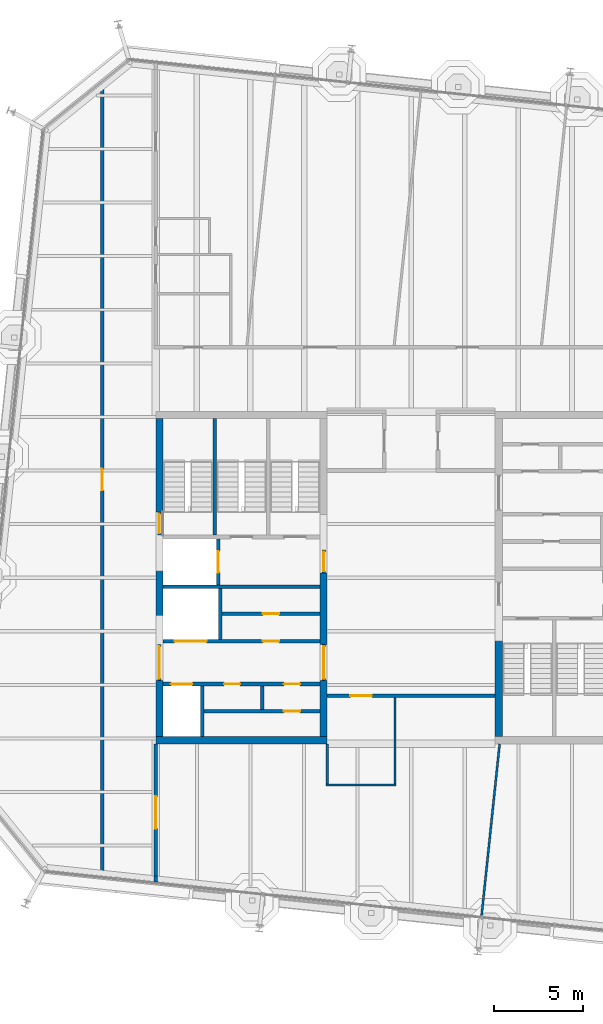
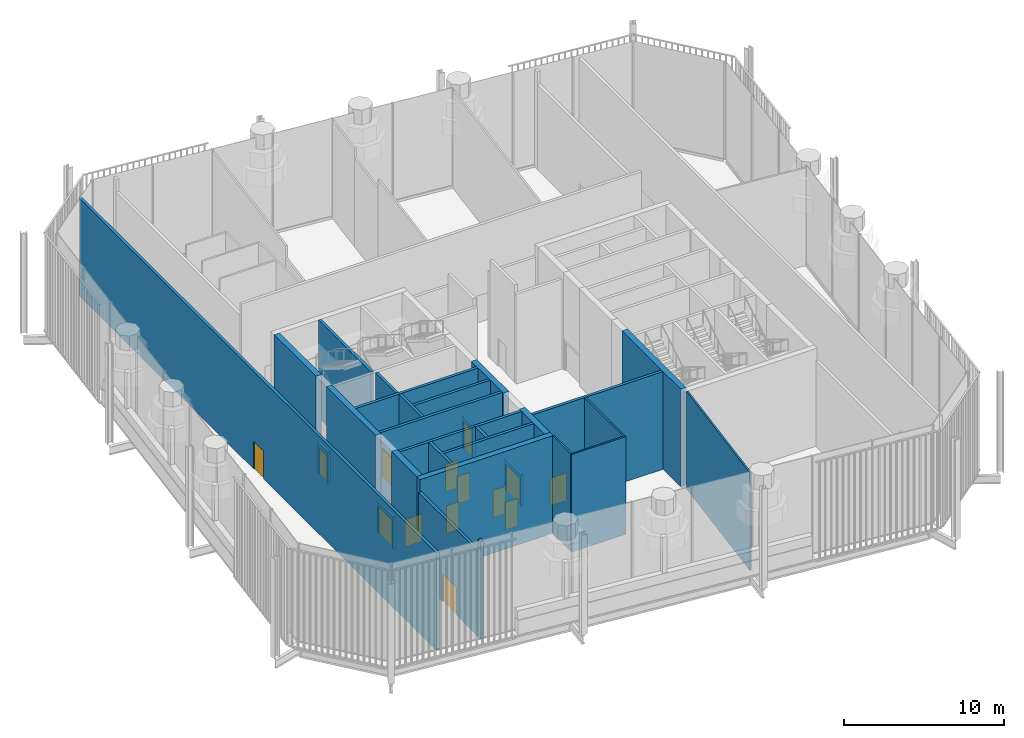
# One storey, part 10 of 17: 29 walls, 15 doors, 15 openings.
"""IFC4 building model written with IfcOpenShell, lengths in metres."""

import ifcopenshell
import ifcopenshell.guid

model = None  # the IFC model being written
_history = None  # IfcOwnerHistory: only IFC2X3 demands one
_inside = {}  # id of a spatial element -> (the spatial element, [elements in it])
_under = {}  # id of a project, library or spatial element -> (it, [spatial elements below it])
_declared = {}  # id of a project -> (the project, [libraries it declares])
_typed = {}  # id of a type object -> (the type object, [elements of that type])
_made_of = {}  # id of a material, layer set ... -> (it, [elements and type objects made of it])


def new_model(schema):
    """Start an empty IFC model of exactly this schema.

    Asked for "IFC4X3", IfcOpenShell would pick the latest addendum, in which some entities
    have other attributes; the version numbers below select the first issue.
    IFC2X3 requires an IfcOwnerHistory on every rooted entity: one is made here for all.
    """
    global model, _history
    if schema == "IFC4X3":
        model = ifcopenshell.file(schema_version=(4, 3, 0, 0))
    else:
        model = ifcopenshell.file(schema=schema)
    _inside.clear()
    _under.clear()
    _declared.clear()
    _typed.clear()
    _made_of.clear()
    _history = None
    if model.schema == "IFC2X3":
        org = make("IfcOrganization", Name="unknown")
        user = make(
            "IfcPersonAndOrganization",
            ThePerson=make("IfcPerson", FamilyName="unknown"),
            TheOrganization=org,
        )
        app = make(
            "IfcApplication",
            ApplicationDeveloper=org,
            Version="unknown",
            ApplicationFullName="unknown",
            ApplicationIdentifier="unknown",
        )
        _history = make(
            "IfcOwnerHistory",
            OwningUser=user,
            OwningApplication=app,
            ChangeAction="ADDED",
            CreationDate=0,
        )
    return model


def make(cls, **values):
    """One entity of the class cls with the attributes given. An attribute that is None is left unset."""
    return model.create_entity(
        cls, **{name: value for name, value in values.items() if value is not None}
    )


def rooted(cls, **values):
    """An entity with a GlobalId (a new one), such as an element, a storey or a relation."""
    return make(cls, GlobalId=ifcopenshell.guid.new(), OwnerHistory=_history, **values)


def si_unit(unit_type, name, prefix=None):
    """IfcSIUnit, for example si_unit("LENGTHUNIT", "METRE", prefix="MILLI")."""
    return make("IfcSIUnit", UnitType=unit_type, Prefix=prefix, Name=name)


def assignment(units):
    """IfcUnitAssignment: the units of a project."""
    return None if units is None else make("IfcUnitAssignment", Units=units)


def point(xyz):
    """IfcCartesianPoint."""
    return None if xyz is None else make("IfcCartesianPoint", Coordinates=xyz)


def direction(xyz):
    """IfcDirection."""
    return None if xyz is None else make("IfcDirection", DirectionRatios=xyz)


def frame(location, z_axis=None, x_axis=None):
    """IfcAxis2Placement3D, a coordinate frame: its origin and axes. An axis left out is left unset."""
    return make(
        "IfcAxis2Placement3D",
        Location=point(location),
        Axis=direction(z_axis),
        RefDirection=direction(x_axis),
    )


def frame_2d(location, x_axis=None):
    """IfcAxis2Placement2D, a coordinate frame in the plane: its origin and x axis."""
    return make(
        "IfcAxis2Placement2D", Location=point(location), RefDirection=direction(x_axis)
    )


def origin():
    """The frame at (0, 0, 0) with its axes left unset."""
    return frame((0.0, 0.0, 0.0))


def place(relative_to, where):
    """IfcLocalPlacement: puts the frame where relative to a parent placement (None: the world)."""
    return make(
        "IfcLocalPlacement", PlacementRelTo=relative_to, RelativePlacement=where
    )


def context(
    kind, dimensions, precision=None, world=None, true_north=None, identifier=None
):
    """IfcGeometricRepresentationContext, for example the 3D "Model" context."""
    return make(
        "IfcGeometricRepresentationContext",
        ContextIdentifier=identifier,
        ContextType=kind,
        CoordinateSpaceDimension=dimensions,
        Precision=precision,
        WorldCoordinateSystem=world,
        TrueNorth=true_north,
    )


def subcontext(parent, identifier, kind, view, scale=None):
    """IfcGeometricRepresentationSubContext, for example "Body" below "Model"."""
    return make(
        "IfcGeometricRepresentationSubContext",
        ContextIdentifier=identifier,
        ContextType=kind,
        ParentContext=parent,
        TargetScale=scale,
        TargetView=view,
    )


def project(units=None, contexts=None):
    """IfcProject with its units and contexts."""
    return rooted(
        "IfcProject",
        Name="project",
        RepresentationContexts=contexts,
        UnitsInContext=assignment(units),
    )


def spatial(cls, under=None, at=None, **own):
    """A site, building, storey or space (cls), placed at a placement, below another one or the project."""
    s = rooted(cls, ObjectPlacement=at, **own)
    if under is not None:
        _under.setdefault(under.id(), (under, []))[1].append(s)
    return s


def profile(cls, at=None, kind="AREA", **sizes):
    """A parametric profile (cls). Its sizes go by their IFC names, for example OverallWidth=200.0."""
    return make(cls, ProfileType=kind, Position=at, **sizes)


def rectangle(**sizes):
    """IfcRectangleProfileDef."""
    return profile("IfcRectangleProfileDef", **sizes)


def extrude(swept, where, along, depth):
    """IfcExtrudedAreaSolid: the profile swept, set in the frame where, extruded along a direction by depth."""
    return make(
        "IfcExtrudedAreaSolid",
        SweptArea=swept,
        Position=where,
        ExtrudedDirection=direction(along),
        Depth=depth,
    )


def shape(context_of_items, identifier, shape_type, items):
    """IfcShapeRepresentation: the items that make up one representation, for example the "Body"."""
    return make(
        "IfcShapeRepresentation",
        ContextOfItems=context_of_items,
        RepresentationIdentifier=identifier,
        RepresentationType=shape_type,
        Items=items,
    )


def material(Name=None, Category=None):
    """IfcMaterial."""
    return make("IfcMaterial", Name=Name, Category=Category)


def layer(
    of_material, thickness, ventilated=None, Name=None, Category=None, Priority=None
):
    """IfcMaterialLayer: one layer of a wall or slab, of a material (None: an air gap)."""
    return make(
        "IfcMaterialLayer",
        Material=of_material,
        LayerThickness=thickness,
        IsVentilated=ventilated,
        Name=Name,
        Category=Category,
        Priority=Priority,
    )


def layer_set(layers, Name=None):
    """IfcMaterialLayerSet."""
    return make("IfcMaterialLayerSet", MaterialLayers=layers, LayerSetName=Name)


def made_of(thing, what):
    """Note that an element or type object is made of a material, layer set ...; save() writes the relation."""
    if what is not None:
        _made_of.setdefault(what.id(), (what, []))[1].append(thing)
    return thing


def type_object(cls, material=None, **own):
    """A type object (cls), such as IfcWallType, which elements share."""
    return made_of(rooted(cls, **own), material)


def element(
    cls,
    number,
    at=None,
    inside=None,
    cuts=None,
    type_object=None,
    material=None,
    context=None,
    identifier="Body",
    shape_type=None,
    held_by="IfcProductDefinitionShape",
    body=None,
    shapes=None,
    **own,
):
    """One element of the class cls, such as IfcWall. Its Tag is "e" and its number.

    at: its placement. inside: the storey or other place that contains it. cuts: it is an
    opening in that element (IfcRelVoidsElement). A single representation is given by context,
    identifier, shape_type and body (its items); several are given by shapes. held_by: the class
    of the entity that holds the representations. save() writes the other relations.
    """
    e = rooted(cls, Tag="e%d" % number, ObjectPlacement=at, **own)
    if body is not None:
        shapes = [shape(context, identifier, shape_type, body)]
    if shapes is not None:
        e.Representation = make(held_by, Representations=shapes)
    if inside is not None:
        _inside.setdefault(inside.id(), (inside, []))[1].append(e)
    if cuts is not None:
        rooted(
            "IfcRelVoidsElement", RelatingBuildingElement=cuts, RelatedOpeningElement=e
        )
    if type_object is not None:
        _typed.setdefault(type_object.id(), (type_object, []))[1].append(e)
    return made_of(e, material)


def fill(opening, filler):
    """IfcRelFillsElement: the door or window that sits in an opening."""
    return rooted(
        "IfcRelFillsElement",
        RelatingOpeningElement=opening,
        RelatedBuildingElement=filler,
    )


def aggregate(whole, parts):
    """IfcRelAggregates: a whole, such as a stair, and the parts it consists of."""
    return rooted("IfcRelAggregates", RelatingObject=whole, RelatedObjects=parts)


def save(model, path):
    """Write the relations noted so far, then the file.

    IfcRelAggregates (storeys below a building ...), IfcRelContainedInSpatialStructure (elements
    in a storey), IfcRelDefinesByType, IfcRelAssociatesMaterial and IfcRelDeclares: one each for
    every whole, place, type object, material and project.
    """
    for whole, parts in _under.values():
        aggregate(whole, parts)
    for where, things in _inside.values():
        rooted(
            "IfcRelContainedInSpatialStructure",
            RelatedElements=things,
            RelatingStructure=where,
        )
    for kind, things in _typed.values():
        rooted("IfcRelDefinesByType", RelatedObjects=things, RelatingType=kind)
    for what, things in _made_of.values():
        rooted("IfcRelAssociatesMaterial", RelatedObjects=things, RelatingMaterial=what)
    for by, libraries in _declared.values():
        rooted("IfcRelDeclares", RelatingContext=by, RelatedDefinitions=libraries)
    model.write(path)


model = new_model("IFC4")

# Units and contexts
model_context = context("Model", 3, precision=1e-05, world=origin(), true_north=direction((0.0, 1.0)))
body_context = subcontext(model_context, "Body", "Model", "MODEL_VIEW")
ifc_project = project(units=[si_unit("LENGTHUNIT", "METRE"), si_unit("AREAUNIT", "SQUARE_METRE"), si_unit("VOLUMEUNIT", "CUBIC_METRE"), si_unit("PLANEANGLEUNIT", "RADIAN"), si_unit("MASSUNIT", "GRAM", prefix="KILO")], contexts=[model_context])

# Site, building, storey
site_placement = place(None, origin())
site = spatial("IfcSite", under=ifc_project, at=site_placement, CompositionType="ELEMENT")
building_placement = place(site_placement, origin())
building = spatial("IfcBuilding", under=site, at=building_placement, Name="Millrace Tower", CompositionType="ELEMENT")
storey_placement = place(building_placement, frame((0.0, 0.0, 311.10009765625)))
storey = spatial("IfcBuildingStorey", under=building, at=storey_placement, Name="L72", CompositionType="ELEMENT", Elevation=311.10009765625)

# Walls
ifc_material_1 = material(Name="Concrete C60", Category="concrete")
ifc_layer_1 = layer(ifc_material_1, 0.39990234375)
ifc_layer_set_1 = layer_set([ifc_layer_1], Name="Concrete C60")
wall_type_1 = type_object("IfcWallType", Name="Core wall 400 Concrete C60", PredefinedType="SHEAR", material=ifc_layer_set_1)
wall_1_placement = place(storey_placement, frame((-14.300048828125, -9.10009765625, 0.0), z_axis=(0.0, 0.0, 1.0), x_axis=(1.0, 0.0, 0.0)))
element("IfcWall", 1, at=wall_1_placement, inside=storey, type_object=wall_type_1, Name="Core wall W L72", PredefinedType="SHEAR", context=body_context, shape_type="SweptSolid", body=[
    extrude(rectangle(XDim=9.60009765625, YDim=0.39990234375, at=frame_2d((4.800048828125, 0.0))), origin(), (0.0, 0.0, 1.0), 7.43994140625),
])
wall_2_placement = place(storey_placement, frame((-14.10009765625, -8.89990234375, 0.0), z_axis=(0.0, 0.0, 1.0), x_axis=(0.0, 1.0, 0.0)))
element("IfcWall", 2, at=wall_2_placement, inside=storey, type_object=wall_type_1, Name="Core wall W L72", PredefinedType="SHEAR", context=body_context, shape_type="SweptSolid", body=[
    extrude(rectangle(XDim=3.14990234375, YDim=0.39990234375, at=frame_2d((1.574951171875, 0.0))), origin(), (0.0, 0.0, 1.0), 7.43994140625),
])
wall_3_placement = place(storey_placement, frame((-14.10009765625, -3.75, 0.0), z_axis=(0.0, 0.0, 1.0), x_axis=(0.0, 1.0, 0.0)))
element("IfcWall", 3, at=wall_3_placement, inside=storey, type_object=wall_type_1, Name="Core wall W L72", PredefinedType="SHEAR", context=body_context, shape_type="SweptSolid", body=[
    extrude(rectangle(XDim=6.1298828125, YDim=0.39990234375, at=frame_2d((3.06494140625, 0.0))), origin(), (0.0, 0.0, 1.0), 7.43994140625),
])
wall_4_placement = place(storey_placement, frame((-14.10009765625, 3.679931640625, 0.0), z_axis=(0.0, 0.0, 1.0), x_axis=(0.0, 1.0, 0.0)))
element("IfcWall", 4, at=wall_4_placement, inside=storey, type_object=wall_type_1, Name="Core wall W L72", PredefinedType="SHEAR", context=body_context, shape_type="SweptSolid", body=[
    extrude(rectangle(XDim=5.219970703125, YDim=0.39990234375, at=frame_2d((2.60986328125, 0.0))), origin(), (0.0, 0.0, 1.0), 7.43994140625),
])
wall_5_placement = place(storey_placement, frame((-4.89990234375, -8.89990234375, 0.0), z_axis=(0.0, 0.0, 1.0), x_axis=(0.0, 1.0, 0.0)))
element("IfcWall", 5, at=wall_5_placement, inside=storey, type_object=wall_type_1, Name="Core wall W L72", PredefinedType="SHEAR", context=body_context, shape_type="SweptSolid", body=[
    extrude(rectangle(XDim=3.14990234375, YDim=0.39990234375, at=frame_2d((1.574951171875, 0.0))), origin(), (0.0, 0.0, 1.0), 7.43994140625),
])
wall_6_placement = place(storey_placement, frame((-4.89990234375, -3.75, 0.0), z_axis=(0.0, 0.0, 1.0), x_axis=(0.0, 1.0, 0.0)))
element("IfcWall", 6, at=wall_6_placement, inside=storey, type_object=wall_type_1, Name="Core wall W L72", PredefinedType="SHEAR", context=body_context, shape_type="SweptSolid", body=[
    extrude(rectangle(XDim=4.0, YDim=0.39990234375, at=frame_2d((2.0, 0.0))), origin(), (0.0, 0.0, 1.0), 7.43994140625),
])
wall_7_placement = place(storey_placement, frame((4.89990234375, -1.550048828125, 0.0), z_axis=(0.0, 0.0, 1.0), x_axis=(0.0, -1.0, 0.0)))
element("IfcWall", 7, at=wall_7_placement, inside=storey, type_object=wall_type_1, Name="Core wall E L72", PredefinedType="SHEAR", context=body_context, shape_type="SweptSolid", body=[
    extrude(rectangle(XDim=7.349853515625, YDim=0.39990234375, at=frame_2d((3.6748046875, 0.0))), origin(), (0.0, 0.0, 1.0), 7.43994140625),
])

# Wall, opening, door
ifc_material_2 = material(Name="Masonry partition, fire-rated", Category="masonry")
ifc_layer_2 = layer(ifc_material_2, 0.199951171875)
ifc_layer_set_2 = layer_set([ifc_layer_2], Name="Masonry partition, fire-rated")
wall_type_2 = type_object("IfcWallType", Name="Corridor wall 200", PredefinedType="PARTITIONING", material=ifc_layer_set_2)
wall_8_placement = place(storey_placement, frame((-4.699951171875, -6.60009765625, 0.0), z_axis=(0.0, 0.0, 1.0), x_axis=(1.0, 0.0, 0.0)))
wall_8 = element("IfcWall", 8, at=wall_8_placement, inside=storey, type_object=wall_type_2, Name="Corridor wall L72", PredefinedType="PARTITIONING", context=body_context, shape_type="SweptSolid", body=[
    extrude(rectangle(XDim=9.39990234375, YDim=0.199951171875, at=frame_2d((4.699951171875, 0.0))), origin(), (0.0, 0.0, 1.0), 7.43994140625),
])
opening_1_placement = place(wall_8_placement, frame((1.300048828125, 0.0, 0.0)))
opening_1 = element("IfcOpeningElement", 9, at=opening_1_placement, cuts=wall_8, Name="Opening 72-P014", PredefinedType="OPENING", context=body_context, shape_type="SweptSolid", body=[
    extrude(rectangle(XDim=1.199951171875, YDim=2.10009765625, at=frame_2d((0.60009765625, 1.050048828125))), frame((0.0, 0.10986328125, 0.0), z_axis=(0.0, -1.0, 0.0), x_axis=(1.0, 0.0, 0.0)), (0.0, 0.0, 1.0), 0.219970703125),
])
ifc_material_3 = material(Name="Steel door set, fire-rated", Category="steel")
door_type_1 = type_object("IfcDoorType", Name="Corridor door 1200 x 2100", OperationType="SINGLE_SWING_LEFT", PredefinedType="DOOR", material=ifc_material_3)
door_1_placement = place(opening_1_placement, frame((1.199951171875, 0.0, 0.0), z_axis=(0.0, 0.0, 1.0), x_axis=(-1.0, 0.0, 0.0)))
door_1 = element("IfcDoor", 10, at=door_1_placement, inside=storey, type_object=door_type_1, Name="Door 72-P014", OperationType="SINGLE_SWING_RIGHT", OverallHeight=2.10009765625, OverallWidth=1.199951171875, PredefinedType="DOOR", context=body_context, shape_type="SweptSolid", body=[
    extrude(rectangle(XDim=1.199951171875, YDim=2.10009765625, at=frame_2d((0.60009765625, 1.050048828125))), frame((0.0, 0.02490234375, 0.0), z_axis=(0.0, -1.0, 0.0), x_axis=(1.0, 0.0, 0.0)), (0.0, 0.0, 1.0), 0.050048828125),
])
fill(opening_1, door_1)

# Wall
wall_9_placement = place(storey_placement, frame((-14.300048828125, -17.031494140625, 0.0), z_axis=(0.0, 0.0, 1.0), x_axis=(0.0, 1.0, 0.0)))
element("IfcWall", 11, at=wall_9_placement, inside=storey, type_object=wall_type_2, Name="Corridor wall L72", PredefinedType="PARTITIONING", context=body_context, shape_type="SweptSolid", body=[
    extrude(rectangle(XDim=0.339111328125, YDim=0.199951171875, at=frame_2d((0.16943359375, 0.0))), origin(), (0.0, 0.0, 1.0), 7.43994140625),
])

# Wall, opening, door
wall_10_placement = place(storey_placement, frame((-14.300048828125, -16.6923828125, 0.0), z_axis=(0.0, 0.0, 1.0), x_axis=(0.0, 1.0, 0.0)))
wall_10 = element("IfcWall", 12, at=wall_10_placement, inside=storey, type_object=wall_type_2, Name="Corridor wall L72", PredefinedType="PARTITIONING", context=body_context, shape_type="SweptSolid", body=[
    extrude(rectangle(XDim=7.392333984375, YDim=0.199951171875, at=frame_2d((3.6962890625, 0.0))), origin(), (0.0, 0.0, 1.0), 6.5126953125),
])
opening_2_placement = place(wall_10_placement, frame((2.65185546875, 0.0, 0.0)))
opening_2 = element("IfcOpeningElement", 13, at=opening_2_placement, cuts=wall_10, Name="Opening 72-P013", PredefinedType="OPENING", context=body_context, shape_type="SweptSolid", body=[
    extrude(rectangle(XDim=1.800048828125, YDim=2.10009765625, at=frame_2d((0.89990234375, 1.050048828125))), frame((0.0, 0.10986328125, 0.0), z_axis=(0.0, -1.0, 0.0), x_axis=(1.0, 0.0, 0.0)), (0.0, 0.0, 1.0), 0.219970703125),
])
ifc_material_4 = material(Name="Steel door set, fire-rated", Category="steel")
door_type_2 = type_object("IfcDoorType", Name="Corridor door 1800 x 2100", OperationType="DOUBLE_DOOR_SINGLE_SWING", PredefinedType="DOOR", material=ifc_material_4)
door_2_placement = place(opening_2_placement, origin())
door_2 = element("IfcDoor", 14, at=door_2_placement, inside=storey, type_object=door_type_2, Name="Door 72-P013", OperationType="DOUBLE_DOOR_SINGLE_SWING", OverallHeight=2.10009765625, OverallWidth=1.800048828125, PredefinedType="DOOR", context=body_context, shape_type="SweptSolid", body=[
    extrude(rectangle(XDim=1.800048828125, YDim=2.10009765625, at=frame_2d((0.89990234375, 1.050048828125))), frame((0.0, 0.02490234375, 0.0), z_axis=(0.0, -1.0, 0.0), x_axis=(1.0, 0.0, 0.0)), (0.0, 0.0, 1.0), 0.050048828125),
])
fill(opening_2, door_2)

wall_11_placement = place(storey_placement, frame((-17.300048828125, -16.716064453125, 0.0), z_axis=(0.0, 0.0, 1.0), x_axis=(0.0, 1.0, 0.0)))
wall_11 = element("IfcWall", 15, at=wall_11_placement, inside=storey, type_object=wall_type_2, Name="Corridor wall L72", PredefinedType="PARTITIONING", context=body_context, shape_type="SweptSolid", body=[
    extrude(rectangle(XDim=44.620361328125, YDim=0.199951171875, at=frame_2d((22.31005859375, 0.0))), origin(), (0.0, 0.0, 1.0), 7.43994140625),
])
opening_3_placement = place(wall_11_placement, frame((21.603271484375, 0.0, 0.0)))
opening_3 = element("IfcOpeningElement", 16, at=opening_3_placement, cuts=wall_11, Name="Opening 72-P003", PredefinedType="OPENING", context=body_context, shape_type="SweptSolid", body=[
    extrude(rectangle(XDim=1.199951171875, YDim=2.10009765625, at=frame_2d((0.60009765625, 1.050048828125))), frame((0.0, 0.10986328125, 0.0), z_axis=(0.0, -1.0, 0.0), x_axis=(1.0, 0.0, 0.0)), (0.0, 0.0, 1.0), 0.219970703125),
])
door_3_placement = place(opening_3_placement, frame((1.199951171875, 0.0, 0.0), z_axis=(0.0, 0.0, 1.0), x_axis=(-1.0, 0.0, 0.0)))
door_3 = element("IfcDoor", 17, at=door_3_placement, inside=storey, type_object=door_type_1, Name="Door 72-P003", OperationType="SINGLE_SWING_LEFT", OverallHeight=2.10009765625, OverallWidth=1.199951171875, PredefinedType="DOOR", context=body_context, shape_type="SweptSolid", body=[
    extrude(rectangle(XDim=1.199951171875, YDim=2.10009765625, at=frame_2d((0.60009765625, 1.050048828125))), frame((0.0, 0.02490234375, 0.0), z_axis=(0.0, -1.0, 0.0), x_axis=(1.0, 0.0, 0.0)), (0.0, 0.0, 1.0), 0.050048828125),
])
fill(opening_3, door_3)

# Wall, openings, doors
ifc_material_5 = material(Name="Masonry partition, fire-rated", Category="masonry")
ifc_layer_3 = layer(ifc_material_5, 0.199951171875)
ifc_layer_set_3 = layer_set([ifc_layer_3], Name="Masonry partition, fire-rated")
wall_type_3 = type_object("IfcWallType", Name="Lift shaft wall 200", PredefinedType="PARTITIONING", material=ifc_layer_set_3)
wall_12_placement = place(storey_placement, frame((-13.89990234375, -5.949951171875, 0.0), z_axis=(0.0, 0.0, 1.0), x_axis=(1.0, 0.0, 0.0)))
wall_12 = element("IfcWall", 18, at=wall_12_placement, inside=storey, type_object=wall_type_3, Name="Lift shaft wall W L72", PredefinedType="PARTITIONING", context=body_context, shape_type="SweptSolid", body=[
    extrude(rectangle(XDim=8.7998046875, YDim=0.199951171875, at=frame_2d((4.39990234375, 0.0))), origin(), (0.0, 0.0, 1.0), 7.43994140625),
])
opening_4_placement = place(wall_12_placement, frame((0.449951171875, 0.0, 0.0)))
opening_4 = element("IfcOpeningElement", 19, at=opening_4_placement, cuts=wall_12, Name="Opening 72-LD01", PredefinedType="OPENING", context=body_context, shape_type="SweptSolid", body=[
    extrude(rectangle(XDim=1.199951171875, YDim=2.10009765625, at=frame_2d((0.60009765625, 1.050048828125))), frame((0.0, 0.10986328125, 0.0), z_axis=(0.0, -1.0, 0.0), x_axis=(1.0, 0.0, 0.0)), (0.0, 0.0, 1.0), 0.219970703125),
])
opening_5_placement = place(wall_12_placement, frame((3.425048828125, 0.0, 0.0)))
opening_5 = element("IfcOpeningElement", 20, at=opening_5_placement, cuts=wall_12, Name="Opening 72-C005", PredefinedType="OPENING", context=body_context, shape_type="SweptSolid", body=[
    extrude(rectangle(XDim=0.89990234375, YDim=2.10009765625, at=frame_2d((0.449951171875, 1.050048828125))), frame((0.0, 0.10986328125, 0.0), z_axis=(0.0, -1.0, 0.0), x_axis=(1.0, 0.0, 0.0)), (0.0, 0.0, 1.0), 0.219970703125),
])
opening_6_placement = place(wall_12_placement, frame((6.77490234375, 0.0, 0.0)))
opening_6 = element("IfcOpeningElement", 21, at=opening_6_placement, cuts=wall_12, Name="Opening 72-C006", PredefinedType="OPENING", context=body_context, shape_type="SweptSolid", body=[
    extrude(rectangle(XDim=0.89990234375, YDim=2.10009765625, at=frame_2d((0.449951171875, 1.050048828125))), frame((0.0, 0.10986328125, 0.0), z_axis=(0.0, -1.0, 0.0), x_axis=(1.0, 0.0, 0.0)), (0.0, 0.0, 1.0), 0.219970703125),
])
ifc_material_6 = material(Name="Stainless steel, fire-rated", Category="steel")
door_type_3 = type_object("IfcDoorType", Name="Lift landing door 1200 x 2100", OperationType="DOUBLE_DOOR_SLIDING", PredefinedType="DOOR", material=ifc_material_6)
door_4_placement = place(opening_4_placement, origin())
door_4 = element("IfcDoor", 22, at=door_4_placement, inside=storey, type_object=door_type_3, Name="Lift landing door LF1 L72", OperationType="DOUBLE_DOOR_SLIDING", OverallHeight=2.10009765625, OverallWidth=1.199951171875, PredefinedType="DOOR", context=body_context, shape_type="SweptSolid", body=[
    extrude(rectangle(XDim=1.199951171875, YDim=2.10009765625, at=frame_2d((0.60009765625, 1.050048828125))), frame((0.0, 0.02490234375, 0.0), z_axis=(0.0, -1.0, 0.0), x_axis=(1.0, 0.0, 0.0)), (0.0, 0.0, 1.0), 0.050048828125),
])
fill(opening_4, door_4)
ifc_material_7 = material(Name="Steel door, fire-rated", Category="steel")
door_type_4 = type_object("IfcDoorType", Name="Service room door 900 x 2100", OperationType="SINGLE_SWING_LEFT", PredefinedType="DOOR", material=ifc_material_7)
door_5_placement = place(opening_5_placement, origin())
door_5 = element("IfcDoor", 23, at=door_5_placement, inside=storey, type_object=door_type_4, Name="Service room door 72-C005", OperationType="SINGLE_SWING_LEFT", OverallHeight=2.10009765625, OverallWidth=0.89990234375, PredefinedType="DOOR", context=body_context, shape_type="SweptSolid", body=[
    extrude(rectangle(XDim=0.89990234375, YDim=2.10009765625, at=frame_2d((0.449951171875, 1.050048828125))), frame((0.0, 0.02490234375, 0.0), z_axis=(0.0, -1.0, 0.0), x_axis=(1.0, 0.0, 0.0)), (0.0, 0.0, 1.0), 0.050048828125),
])
fill(opening_5, door_5)
door_6_placement = place(opening_6_placement, origin())
door_6 = element("IfcDoor", 24, at=door_6_placement, inside=storey, type_object=door_type_4, Name="Service room door 72-C006", OperationType="SINGLE_SWING_RIGHT", OverallHeight=2.10009765625, OverallWidth=0.89990234375, PredefinedType="DOOR", context=body_context, shape_type="SweptSolid", body=[
    extrude(rectangle(XDim=0.89990234375, YDim=2.10009765625, at=frame_2d((0.449951171875, 1.050048828125))), frame((0.0, 0.02490234375, 0.0), z_axis=(0.0, -1.0, 0.0), x_axis=(1.0, 0.0, 0.0)), (0.0, 0.0, 1.0), 0.050048828125),
])
fill(opening_6, door_6)

wall_13_placement = place(storey_placement, frame((-13.89990234375, -3.550048828125, 0.0), z_axis=(0.0, 0.0, 1.0), x_axis=(1.0, 0.0, 0.0)))
wall_13 = element("IfcWall", 25, at=wall_13_placement, inside=storey, type_object=wall_type_3, Name="Lift shaft wall W L72", PredefinedType="PARTITIONING", context=body_context, shape_type="SweptSolid", body=[
    extrude(rectangle(XDim=8.7998046875, YDim=0.199951171875, at=frame_2d((4.39990234375, 0.0))), origin(), (0.0, 0.0, 1.0), 7.43994140625),
])
opening_7_placement = place(wall_13_placement, frame((0.64990234375, 0.0, 0.0)))
opening_7 = element("IfcOpeningElement", 26, at=opening_7_placement, cuts=wall_13, Name="Opening 72-LD05", PredefinedType="OPENING", context=body_context, shape_type="SweptSolid", body=[
    extrude(rectangle(XDim=1.800048828125, YDim=2.10009765625, at=frame_2d((0.89990234375, 1.050048828125))), frame((0.0, 0.10986328125, 0.0), z_axis=(0.0, -1.0, 0.0), x_axis=(1.0, 0.0, 0.0)), (0.0, 0.0, 1.0), 0.219970703125),
])
opening_8_placement = place(wall_13_placement, frame((5.60009765625, 0.0, 0.0)))
opening_8 = element("IfcOpeningElement", 27, at=opening_8_placement, cuts=wall_13, Name="Opening 72-C008", PredefinedType="OPENING", context=body_context, shape_type="SweptSolid", body=[
    extrude(rectangle(XDim=0.89990234375, YDim=2.10009765625, at=frame_2d((0.449951171875, 1.050048828125))), frame((0.0, 0.10986328125, 0.0), z_axis=(0.0, -1.0, 0.0), x_axis=(1.0, 0.0, 0.0)), (0.0, 0.0, 1.0), 0.219970703125),
])
ifc_material_8 = material(Name="Stainless steel, fire-rated", Category="steel")
door_type_5 = type_object("IfcDoorType", Name="Lift landing door 1800 x 2100", OperationType="DOUBLE_DOOR_SLIDING", PredefinedType="DOOR", material=ifc_material_8)
door_7_placement = place(opening_7_placement, origin())
door_7 = element("IfcDoor", 28, at=door_7_placement, inside=storey, type_object=door_type_5, Name="Lift landing door LF5 L72", OperationType="DOUBLE_DOOR_SLIDING", OverallHeight=2.10009765625, OverallWidth=1.800048828125, PredefinedType="DOOR", context=body_context, shape_type="SweptSolid", body=[
    extrude(rectangle(XDim=1.800048828125, YDim=2.10009765625, at=frame_2d((0.89990234375, 1.050048828125))), frame((0.0, 0.02490234375, 0.0), z_axis=(0.0, -1.0, 0.0), x_axis=(1.0, 0.0, 0.0)), (0.0, 0.0, 1.0), 0.050048828125),
])
fill(opening_7, door_7)
door_8_placement = place(opening_8_placement, frame((0.89990234375, 0.0, 0.0), z_axis=(0.0, 0.0, 1.0), x_axis=(-1.0, 0.0, 0.0)))
door_8 = element("IfcDoor", 29, at=door_8_placement, inside=storey, type_object=door_type_4, Name="Service room door 72-C008", OperationType="SINGLE_SWING_LEFT", OverallHeight=2.10009765625, OverallWidth=0.89990234375, PredefinedType="DOOR", context=body_context, shape_type="SweptSolid", body=[
    extrude(rectangle(XDim=0.89990234375, YDim=2.10009765625, at=frame_2d((0.449951171875, 1.050048828125))), frame((0.0, 0.02490234375, 0.0), z_axis=(0.0, -1.0, 0.0), x_axis=(1.0, 0.0, 0.0)), (0.0, 0.0, 1.0), 0.050048828125),
])
fill(opening_8, door_8)

# Wall
wall_14_placement = place(storey_placement, frame((-13.89990234375, -0.5, 0.0), z_axis=(0.0, 0.0, 1.0), x_axis=(1.0, 0.0, 0.0)))
element("IfcWall", 30, at=wall_14_placement, inside=storey, type_object=wall_type_3, Name="Lift shaft wall W L72", PredefinedType="PARTITIONING", context=body_context, shape_type="SweptSolid", body=[
    extrude(rectangle(XDim=8.7998046875, YDim=0.199951171875, at=frame_2d((4.39990234375, 0.0))), origin(), (0.0, 0.0, 1.0), 7.43994140625),
])

# Wall, opening, door
wall_15_placement = place(storey_placement, frame((-10.800048828125, -0.39990234375, 0.0), z_axis=(0.0, 0.0, 1.0), x_axis=(0.0, 1.0, 0.0)))
wall_15 = element("IfcWall", 31, at=wall_15_placement, inside=storey, type_object=wall_type_3, Name="Lift shaft wall W L72", PredefinedType="PARTITIONING", context=body_context, shape_type="SweptSolid", body=[
    extrude(rectangle(XDim=2.579833984375, YDim=0.199951171875, at=frame_2d((1.2900390625, 0.0))), origin(), (0.0, 0.0, 1.0), 7.43994140625),
])
opening_9_placement = place(wall_15_placement, frame((0.68994140625, 0.0, 0.0)))
opening_9 = element("IfcOpeningElement", 32, at=opening_9_placement, cuts=wall_15, Name="Opening 72-LD08", PredefinedType="OPENING", context=body_context, shape_type="SweptSolid", body=[
    extrude(rectangle(XDim=1.199951171875, YDim=2.10009765625, at=frame_2d((0.60009765625, 1.050048828125))), frame((0.0, 0.10986328125, 0.0), z_axis=(0.0, -1.0, 0.0), x_axis=(1.0, 0.0, 0.0)), (0.0, 0.0, 1.0), 0.219970703125),
])
door_9_placement = place(opening_9_placement, origin())
door_9 = element("IfcDoor", 33, at=door_9_placement, inside=storey, type_object=door_type_3, Name="Lift landing door LF8 L72", OperationType="DOUBLE_DOOR_SLIDING", OverallHeight=2.10009765625, OverallWidth=1.199951171875, PredefinedType="DOOR", context=body_context, shape_type="SweptSolid", body=[
    extrude(rectangle(XDim=1.199951171875, YDim=2.10009765625, at=frame_2d((0.60009765625, 1.050048828125))), frame((0.0, 0.02490234375, 0.0), z_axis=(0.0, -1.0, 0.0), x_axis=(1.0, 0.0, 0.0)), (0.0, 0.0, 1.0), 0.050048828125),
])
fill(opening_9, door_9)

# Walls
for number, where, z_axis, x_axis, name in (
    (34, (-11.699951171875, -8.89990234375, 0.0), (0.0, 0.0, 1.0), (0.0, 1.0, 0.0), "Lift shaft wall W L72"),
    (35, (-10.699951171875, -3.449951171875, 0.0), (0.0, 0.0, 1.0), (0.0, 1.0, 0.0), "Lift shaft wall W L72"),
):
    element("IfcWall", number, at=place(storey_placement, frame(where, z_axis=z_axis, x_axis=x_axis)), inside=storey, type_object=wall_type_3, Name=name, PredefinedType="PARTITIONING", context=body_context, shape_type="SweptSolid", body=[
        extrude(rectangle(XDim=2.849853515625, YDim=0.199951171875, at=frame_2d((1.4248046875, 0.0))), origin(), (0.0, 0.0, 1.0), 7.43994140625),
    ])

# Wall, opening, door
ifc_material_9 = material(Name="Masonry partition, fire-rated", Category="masonry")
ifc_layer_4 = layer(ifc_material_9, 0.199951171875)
ifc_layer_set_4 = layer_set([ifc_layer_4], Name="Masonry partition, fire-rated")
wall_type_4 = type_object("IfcWallType", Name="Lobby wall 200", PredefinedType="PARTITIONING", material=ifc_layer_set_4)
wall_16_placement = place(storey_placement, frame((-14.10009765625, -5.75, 0.0), z_axis=(0.0, 0.0, 1.0), x_axis=(0.0, 1.0, 0.0)))
wall_16 = element("IfcWall", 36, at=wall_16_placement, inside=storey, type_object=wall_type_4, Name="Lobby wall W L72", PredefinedType="PARTITIONING", context=body_context, shape_type="SweptSolid", body=[
    extrude(rectangle(XDim=2.0, YDim=0.199951171875, at=frame_2d((1.0, 0.0))), origin(), (0.0, 0.0, 1.0), 2.39990234375),
])
opening_10_placement = place(wall_16_placement, frame((0.10009765625, 0.0, 0.0)))
opening_10 = element("IfcOpeningElement", 37, at=opening_10_placement, cuts=wall_16, Name="Opening 72-C001", PredefinedType="OPENING", context=body_context, shape_type="SweptSolid", body=[
    extrude(rectangle(XDim=1.800048828125, YDim=2.10009765625, at=frame_2d((0.89990234375, 1.050048828125))), frame((0.0, 0.10986328125, 0.0), z_axis=(0.0, -1.0, 0.0), x_axis=(1.0, 0.0, 0.0)), (0.0, 0.0, 1.0), 0.219970703125),
])
ifc_material_10 = material(Name="Steel door, fire-rated", Category="steel")
door_type_6 = type_object("IfcDoorType", Name="Lobby door 1800 x 2100", OperationType="DOUBLE_DOOR_SINGLE_SWING", PredefinedType="DOOR", material=ifc_material_10)
door_10_placement = place(opening_10_placement, origin())
door_10 = element("IfcDoor", 38, at=door_10_placement, inside=storey, type_object=door_type_6, Name="Lobby door 72-C001", OperationType="DOUBLE_DOOR_SINGLE_SWING", OverallHeight=2.10009765625, OverallWidth=1.800048828125, PredefinedType="DOOR", context=body_context, shape_type="SweptSolid", body=[
    extrude(rectangle(XDim=1.800048828125, YDim=2.10009765625, at=frame_2d((0.89990234375, 1.050048828125))), frame((0.0, 0.02490234375, 0.0), z_axis=(0.0, -1.0, 0.0), x_axis=(1.0, 0.0, 0.0)), (0.0, 0.0, 1.0), 0.050048828125),
])
fill(opening_10, door_10)

wall_17_placement = place(storey_placement, frame((-4.89990234375, -5.75, 0.0), z_axis=(0.0, 0.0, 1.0), x_axis=(0.0, 1.0, 0.0)))
wall_17 = element("IfcWall", 39, at=wall_17_placement, inside=storey, type_object=wall_type_4, Name="Lobby wall W L72", PredefinedType="PARTITIONING", context=body_context, shape_type="SweptSolid", body=[
    extrude(rectangle(XDim=2.0, YDim=0.199951171875, at=frame_2d((1.0, 0.0))), origin(), (0.0, 0.0, 1.0), 2.39990234375),
])
opening_11_placement = place(wall_17_placement, frame((0.10009765625, 0.0, 0.0)))
opening_11 = element("IfcOpeningElement", 40, at=opening_11_placement, cuts=wall_17, Name="Opening 72-C003", PredefinedType="OPENING", context=body_context, shape_type="SweptSolid", body=[
    extrude(rectangle(XDim=1.800048828125, YDim=2.10009765625, at=frame_2d((0.89990234375, 1.050048828125))), frame((0.0, 0.10986328125, 0.0), z_axis=(0.0, -1.0, 0.0), x_axis=(1.0, 0.0, 0.0)), (0.0, 0.0, 1.0), 0.219970703125),
])
door_11_placement = place(opening_11_placement, frame((1.800048828125, 0.0, 0.0), z_axis=(0.0, 0.0, 1.0), x_axis=(-1.0, 0.0, 0.0)))
door_11 = element("IfcDoor", 41, at=door_11_placement, inside=storey, type_object=door_type_6, Name="Lobby door 72-C003", OperationType="DOUBLE_DOOR_SINGLE_SWING", OverallHeight=2.10009765625, OverallWidth=1.800048828125, PredefinedType="DOOR", context=body_context, shape_type="SweptSolid", body=[
    extrude(rectangle(XDim=1.800048828125, YDim=2.10009765625, at=frame_2d((0.89990234375, 1.050048828125))), frame((0.0, 0.02490234375, 0.0), z_axis=(0.0, -1.0, 0.0), x_axis=(1.0, 0.0, 0.0)), (0.0, 0.0, 1.0), 0.050048828125),
])
fill(opening_11, door_11)

wall_18_placement = place(storey_placement, frame((-4.89990234375, 0.25, 0.0), z_axis=(0.0, 0.0, 1.0), x_axis=(0.0, 1.0, 0.0)))
wall_18 = element("IfcWall", 42, at=wall_18_placement, inside=storey, type_object=wall_type_4, Name="Lobby wall W L72", PredefinedType="PARTITIONING", context=body_context, shape_type="SweptSolid", body=[
    extrude(rectangle(XDim=1.300048828125, YDim=0.199951171875, at=frame_2d((0.64990234375, 0.0))), origin(), (0.0, 0.0, 1.0), 2.39990234375),
])
opening_12_placement = place(wall_18_placement, frame((0.10009765625, 0.0, 0.0)))
opening_12 = element("IfcOpeningElement", 43, at=opening_12_placement, cuts=wall_18, Name="Opening 72-C004", PredefinedType="OPENING", context=body_context, shape_type="SweptSolid", body=[
    extrude(rectangle(XDim=1.10009765625, YDim=2.10009765625, at=frame_2d((0.550048828125, 1.050048828125))), frame((0.0, 0.10986328125, 0.0), z_axis=(0.0, -1.0, 0.0), x_axis=(1.0, 0.0, 0.0)), (0.0, 0.0, 1.0), 0.219970703125),
])
ifc_material_11 = material(Name="Steel door, fire-rated", Category="steel")
door_type_7 = type_object("IfcDoorType", Name="Lobby door 1100 x 2100", OperationType="SINGLE_SWING_LEFT", PredefinedType="DOOR", material=ifc_material_11)
door_12_placement = place(opening_12_placement, frame((1.10009765625, 0.0, 0.0), z_axis=(0.0, 0.0, 1.0), x_axis=(-1.0, 0.0, 0.0)))
door_12 = element("IfcDoor", 44, at=door_12_placement, inside=storey, type_object=door_type_7, Name="Lobby door 72-C004", OperationType="SINGLE_SWING_RIGHT", OverallHeight=2.10009765625, OverallWidth=1.10009765625, PredefinedType="DOOR", context=body_context, shape_type="SweptSolid", body=[
    extrude(rectangle(XDim=1.10009765625, YDim=2.10009765625, at=frame_2d((0.550048828125, 1.050048828125))), frame((0.0, 0.02490234375, 0.0), z_axis=(0.0, -1.0, 0.0), x_axis=(1.0, 0.0, 0.0)), (0.0, 0.0, 1.0), 0.050048828125),
])
fill(opening_12, door_12)

# Walls
ifc_material_12 = material(Name="Gypsum board partition")
ifc_layer_5 = layer(ifc_material_12, 0.1201171875)
ifc_layer_set_5 = layer_set([ifc_layer_5], Name="Gypsum board partition")
wall_type_5 = type_object("IfcWallType", Name="Partition wall 120", PredefinedType="PARTITIONING", material=ifc_layer_set_5)
wall_19_placement = place(storey_placement, frame((-4.760009765625, -11.60009765625, 0.0), z_axis=(0.0, 0.0, 1.0), x_axis=(1.0, 0.0, 0.0)))
element("IfcWall", 45, at=wall_19_placement, inside=storey, type_object=wall_type_5, Name="Partition wall L72", PredefinedType="PARTITIONING", context=body_context, shape_type="SweptSolid", body=[
    extrude(rectangle(XDim=3.919921875, YDim=0.1201171875, at=frame_2d((1.9599609375, 0.0))), origin(), (0.0, 0.0, 1.0), 7.43994140625),
])
wall_20_placement = place(storey_placement, frame((3.9375, -18.9482421875, 0.0), z_axis=(0.0, 0.0, 1.0), x_axis=(0.104466006092, 0.994528457899, 0.0)))
element("IfcWall", 46, at=wall_20_placement, inside=storey, type_object=wall_type_5, Name="Partition wall L72", PredefinedType="PARTITIONING", context=body_context, shape_type="SweptSolid", body=[
    extrude(rectangle(XDim=9.700927734375, YDim=0.1201171875, at=frame_2d((4.8505859375, 0.0))), origin(), (0.0, 0.0, 1.0), 7.43994140625),
])
wall_21_placement = place(storey_placement, frame((-0.89990234375, -11.5400390625, 0.0), z_axis=(0.0, 0.0, 1.0), x_axis=(0.0, 1.0, 0.0)))
element("IfcWall", 47, at=wall_21_placement, inside=storey, type_object=wall_type_5, Name="Partition wall L72", PredefinedType="PARTITIONING", context=body_context, shape_type="SweptSolid", body=[
    extrude(rectangle(XDim=4.840087890625, YDim=0.1201171875, at=frame_2d((2.419921875, 0.0))), origin(), (0.0, 0.0, 1.0), 7.43994140625),
])
wall_22_placement = place(storey_placement, frame((-4.699951171875, -11.5400390625, 0.0), z_axis=(0.0, 0.0, 1.0), x_axis=(0.0, 1.0, 0.0)))
element("IfcWall", 48, at=wall_22_placement, inside=storey, type_object=wall_type_5, Name="Partition wall L72", PredefinedType="PARTITIONING", context=body_context, shape_type="SweptSolid", body=[
    extrude(rectangle(XDim=2.239990234375, YDim=0.1201171875, at=frame_2d((1.1201171875, 0.0))), origin(), (0.0, 0.0, 1.0), 7.43994140625),
])

# Wall, opening, door
ifc_material_13 = material(Name="Masonry partition, fire-rated", Category="masonry")
ifc_layer_6 = layer(ifc_material_13, 0.199951171875)
ifc_layer_set_6 = layer_set([ifc_layer_6], Name="Masonry partition, fire-rated")
wall_type_6 = type_object("IfcWallType", Name="Room partition 200", PredefinedType="PARTITIONING", material=ifc_layer_set_6)
wall_23_placement = place(storey_placement, frame((-11.60009765625, -7.47509765625, 0.0), z_axis=(0.0, 0.0, 1.0), x_axis=(1.0, 0.0, 0.0)))
wall_23 = element("IfcWall", 49, at=wall_23_placement, inside=storey, type_object=wall_type_6, Name="Room partition W L72", PredefinedType="PARTITIONING", context=body_context, shape_type="SweptSolid", body=[
    extrude(rectangle(XDim=6.5, YDim=0.199951171875, at=frame_2d((3.25, 0.0))), origin(), (0.0, 0.0, 1.0), 7.43994140625),
])
opening_13_placement = place(wall_23_placement, frame((4.47509765625, 0.0, 0.0)))
opening_13 = element("IfcOpeningElement", 50, at=opening_13_placement, cuts=wall_23, Name="Opening 72-C007", PredefinedType="OPENING", context=body_context, shape_type="SweptSolid", body=[
    extrude(rectangle(XDim=0.89990234375, YDim=2.10009765625, at=frame_2d((0.449951171875, 1.050048828125))), frame((0.0, 0.10986328125, 0.0), z_axis=(0.0, -1.0, 0.0), x_axis=(1.0, 0.0, 0.0)), (0.0, 0.0, 1.0), 0.219970703125),
])
door_13_placement = place(opening_13_placement, frame((0.89990234375, 0.0, 0.0), z_axis=(0.0, 0.0, 1.0), x_axis=(-1.0, 0.0, 0.0)))
door_13 = element("IfcDoor", 51, at=door_13_placement, inside=storey, type_object=door_type_4, Name="Service room door 72-C007", OperationType="SINGLE_SWING_LEFT", OverallHeight=2.10009765625, OverallWidth=0.89990234375, PredefinedType="DOOR", context=body_context, shape_type="SweptSolid", body=[
    extrude(rectangle(XDim=0.89990234375, YDim=2.10009765625, at=frame_2d((0.449951171875, 1.050048828125))), frame((0.0, 0.02490234375, 0.0), z_axis=(0.0, -1.0, 0.0), x_axis=(1.0, 0.0, 0.0)), (0.0, 0.0, 1.0), 0.050048828125),
])
fill(opening_13, door_13)

# Wall
wall_24_placement = place(storey_placement, frame((-8.35009765625, -7.375, 0.0), z_axis=(0.0, 0.0, 1.0), x_axis=(0.0, 1.0, 0.0)))
element("IfcWall", 52, at=wall_24_placement, inside=storey, type_object=wall_type_6, Name="Room partition W L72", PredefinedType="PARTITIONING", context=body_context, shape_type="SweptSolid", body=[
    extrude(rectangle(XDim=1.324951171875, YDim=0.199951171875, at=frame_2d((0.66259765625, 0.0))), origin(), (0.0, 0.0, 1.0), 7.43994140625),
])

# Wall, opening, door
wall_25_placement = place(storey_placement, frame((-10.60009765625, -2.02490234375, 0.0), z_axis=(0.0, 0.0, 1.0), x_axis=(1.0, 0.0, 0.0)))
wall_25 = element("IfcWall", 53, at=wall_25_placement, inside=storey, type_object=wall_type_6, Name="Room partition W L72", PredefinedType="PARTITIONING", context=body_context, shape_type="SweptSolid", body=[
    extrude(rectangle(XDim=5.5, YDim=0.199951171875, at=frame_2d((2.75, 0.0))), origin(), (0.0, 0.0, 1.0), 7.43994140625),
])
opening_14_placement = place(wall_25_placement, frame((2.300048828125, 0.0, 0.0)))
opening_14 = element("IfcOpeningElement", 54, at=opening_14_placement, cuts=wall_25, Name="Opening 72-C009", PredefinedType="OPENING", context=body_context, shape_type="SweptSolid", body=[
    extrude(rectangle(XDim=0.89990234375, YDim=2.10009765625, at=frame_2d((0.449951171875, 1.050048828125))), frame((0.0, 0.10986328125, 0.0), z_axis=(0.0, -1.0, 0.0), x_axis=(1.0, 0.0, 0.0)), (0.0, 0.0, 1.0), 0.219970703125),
])
door_14_placement = place(opening_14_placement, origin())
door_14 = element("IfcDoor", 55, at=door_14_placement, inside=storey, type_object=door_type_4, Name="Service room door 72-C009", OperationType="SINGLE_SWING_RIGHT", OverallHeight=2.10009765625, OverallWidth=0.89990234375, PredefinedType="DOOR", context=body_context, shape_type="SweptSolid", body=[
    extrude(rectangle(XDim=0.89990234375, YDim=2.10009765625, at=frame_2d((0.449951171875, 1.050048828125))), frame((0.0, 0.02490234375, 0.0), z_axis=(0.0, -1.0, 0.0), x_axis=(1.0, 0.0, 0.0)), (0.0, 0.0, 1.0), 0.050048828125),
])
fill(opening_14, door_14)

ifc_material_14 = material(Name="Concrete C40", Category="concrete")
ifc_layer_7 = layer(ifc_material_14, 0.199951171875)
ifc_layer_set_7 = layer_set([ifc_layer_7], Name="Concrete C40")
wall_type_7 = type_object("IfcWallType", Name="Stair enclosure wall 200 Concrete C40", PredefinedType="SHEAR", material=ifc_layer_set_7)
wall_26_placement = place(storey_placement, frame((-14.10009765625, 2.3798828125, 0.0), z_axis=(0.0, 0.0, 1.0), x_axis=(0.0, 1.0, 0.0)))
wall_26 = element("IfcWall", 56, at=wall_26_placement, inside=storey, type_object=wall_type_7, Name="Stair enclosure wall W L72", PredefinedType="SHEAR", context=body_context, shape_type="SweptSolid", body=[
    extrude(rectangle(XDim=1.300048828125, YDim=0.199951171875, at=frame_2d((0.64990234375, 0.0))), origin(), (0.0, 0.0, 1.0), 2.39990234375),
])
opening_15_placement = place(wall_26_placement, frame((0.10009765625, 0.0, 0.0)))
opening_15 = element("IfcOpeningElement", 57, at=opening_15_placement, cuts=wall_26, Name="Opening 72-C002", PredefinedType="OPENING", context=body_context, shape_type="SweptSolid", body=[
    extrude(rectangle(XDim=1.10009765625, YDim=2.10009765625, at=frame_2d((0.550048828125, 1.050048828125))), frame((0.0, 0.10986328125, 0.0), z_axis=(0.0, -1.0, 0.0), x_axis=(1.0, 0.0, 0.0)), (0.0, 0.0, 1.0), 0.219970703125),
])
ifc_material_15 = material(Name="Steel door, fire-rated", Category="steel")
door_type_8 = type_object("IfcDoorType", Name="Stair door 1100 x 2100", OperationType="SINGLE_SWING_LEFT", PredefinedType="DOOR", material=ifc_material_15)
door_15_placement = place(opening_15_placement, origin())
door_15 = element("IfcDoor", 58, at=door_15_placement, inside=storey, type_object=door_type_8, Name="Stair door 72-C002", OperationType="SINGLE_SWING_LEFT", OverallHeight=2.10009765625, OverallWidth=1.10009765625, PredefinedType="DOOR", context=body_context, shape_type="SweptSolid", body=[
    extrude(rectangle(XDim=1.10009765625, YDim=2.10009765625, at=frame_2d((0.550048828125, 1.050048828125))), frame((0.0, 0.02490234375, 0.0), z_axis=(0.0, -1.0, 0.0), x_axis=(1.0, 0.0, 0.0)), (0.0, 0.0, 1.0), 0.050048828125),
])
fill(opening_15, door_15)

# Wall
wall_27_placement = place(storey_placement, frame((-11.0, 2.3798828125, 0.0), z_axis=(0.0, 0.0, 1.0), x_axis=(0.0, 1.0, 0.0)))
element("IfcWall", 59, at=wall_27_placement, inside=storey, type_object=wall_type_7, Name="Stair enclosure wall W L72", PredefinedType="SHEAR", context=body_context, shape_type="SweptSolid", body=[
    extrude(rectangle(XDim=6.52001953125, YDim=0.199951171875, at=frame_2d((3.260009765625, 0.0))), origin(), (0.0, 0.0, 1.0), 7.43994140625),
])

save(model, "model.ifc")
